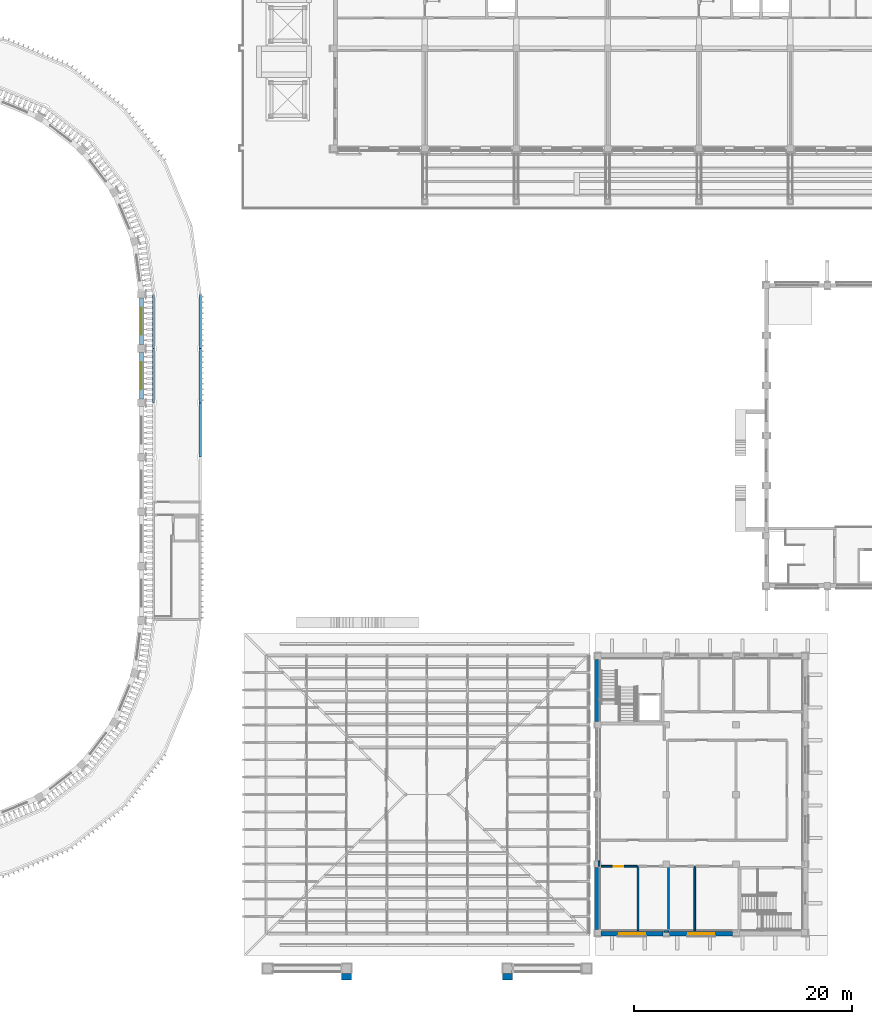
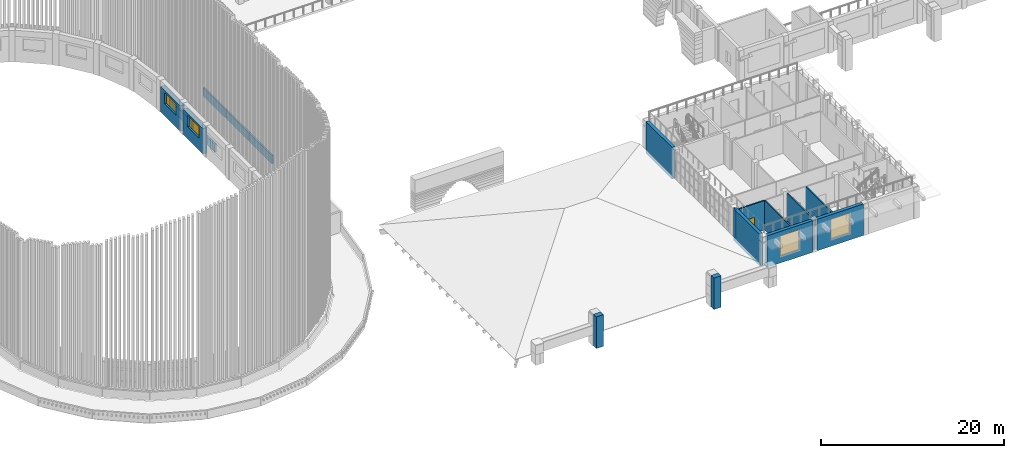
# One storey, part 23 of 68: 19 walls, 4 windows, 1 door, 5 openings.
"""IFC4 building model written with IfcOpenShell, lengths in metres."""

from ifc_helpers import new_model, si_unit, direction, frame, frame_2d, origin, place, context, subcontext, project, spatial, rectangle, extrude, material, layer, layer_set, type_object, element, fill, save


model = new_model("IFC4")

# Units and contexts
model_context = context("Model", 3, precision=1e-05, world=origin(), true_north=direction((0.0, 1.0)))
body_context = subcontext(model_context, "Body", "Model", "MODEL_VIEW")
ifc_project = project(units=[si_unit("LENGTHUNIT", "METRE"), si_unit("AREAUNIT", "SQUARE_METRE"), si_unit("VOLUMEUNIT", "CUBIC_METRE"), si_unit("PLANEANGLEUNIT", "RADIAN"), si_unit("MASSUNIT", "GRAM", prefix="KILO")], contexts=[model_context])

# Site, building, storey
site_placement = place(None, origin())
site = spatial("IfcSite", under=ifc_project, at=site_placement, CompositionType="ELEMENT")
building_placement = place(site_placement, origin())
building = spatial("IfcBuilding", under=site, at=building_placement, Name="Wasatch Bagh Community Centre", CompositionType="ELEMENT")
storey_placement = place(building_placement, frame((0.0, 0.0, 8.39990234375)))
storey = spatial("IfcBuildingStorey", under=building, at=storey_placement, Name="L02", CompositionType="ELEMENT", Elevation=8.39990234375)

# Walls
ifc_material_1 = material(Name="Concrete C40", Category="concrete")
ifc_layer_1 = layer(ifc_material_1, 0.60009765625)
ifc_layer_set_1 = layer_set([ifc_layer_1], Name="Concrete C40")
wall_type_1 = type_object("IfcWallType", Name="CL-W4", PredefinedType="STANDARD", material=ifc_layer_set_1)
for number, where, z_axis, x_axis, name in (
    (1, (73.14990234375, 2.25, 0.0), (0.0, 0.0, 1.0), (1.0, 0.0, 0.0), "CL-W4 pier buttress DHP2"),
    (2, (87.949951171875, 2.25, 0.0), (0.0, 0.0, 1.0), (1.0, 0.0, 0.0), "CL-W4 pier buttress DHP3"),
):
    element("IfcWall", number, at=place(storey_placement, frame(where, z_axis=z_axis, x_axis=x_axis)), inside=storey, type_object=wall_type_1, Name=name, PredefinedType="STANDARD", context=body_context, shape_type="SweptSolid", body=[
        extrude(rectangle(XDim=0.900146484375, YDim=0.60009765625, at=frame_2d((0.4501953125, 0.0))), origin(), (0.0, 0.0, 1.0), 4.2001953125),
    ])
ifc_layer_2 = layer(ifc_material_1, 0.199951171875)
ifc_layer_set_2 = layer_set([ifc_layer_2], Name="Concrete C40")
wall_type_2 = type_object("IfcWallType", Name="Drum parapet RC WALL 200", PredefinedType="PARAPET", material=ifc_layer_set_2)
for number, where, z_axis, x_axis, name in (
    (3, (60.14990234375, 50.013916015625, 0.0), (0.0, 0.0, 1.0), (0.0, 1.0, 0.0), "Terrace parapet outer 16"),
    (4, (60.14990234375, 55.013916015625, 0.0), (0.0, 0.0, 1.0), (0.0, 1.0, 0.0), "Terrace parapet outer 17"),
    (5, (60.14990234375, 60.013916015625, 0.0), (0.0, 0.0, 1.0), (0.0, 1.0, 0.0), "Terrace parapet outer 18"),
    (6, (55.85009765625, 55.013916015625, 0.0), (0.0, 0.0, 1.0), (0.0, 1.0, 0.0), "Terrace parapet inner 17"),
    (7, (55.85009765625, 60.013916015625, 0.0), (0.0, 0.0, 1.0), (0.0, 1.0, 0.0), "Terrace parapet inner 18"),
):
    element("IfcWall", number, at=place(storey_placement, frame(where, z_axis=z_axis, x_axis=x_axis)), inside=storey, type_object=wall_type_2, Name=name, PredefinedType="PARAPET", context=body_context, shape_type="SweptSolid", body=[
        extrude(rectangle(XDim=4.97216796875, YDim=0.199951171875, at=frame_2d((2.486083984375, 0.0))), origin(), (0.0, 0.0, 1.0), 1.10009765625),
    ])

# Wall, opening, window
ifc_layer_3 = layer(ifc_material_1, 0.39990234375)
ifc_layer_set_3 = layer_set([ifc_layer_3], Name="Concrete C40")
wall_type_3 = type_object("IfcWallType", Name="KW RC WALL 400 solidwall", PredefinedType="SOLIDWALL", material=ifc_layer_set_3)
wall_1_placement = place(storey_placement, frame((97.0, 6.199951171875, 0.0), z_axis=(0.0, 0.0, 1.0), x_axis=(1.0, 0.0, 0.0)))
wall_1 = element("IfcWall", 8, at=wall_1_placement, inside=storey, type_object=wall_type_3, Name="KW.wall.L02.01", PredefinedType="SOLIDWALL", context=body_context, shape_type="SweptSolid", body=[
    extrude(rectangle(XDim=5.699951171875, YDim=0.39990234375, at=frame_2d((2.85009765625, 0.0))), origin(), (0.0, 0.0, 1.0), 4.2001953125),
])
opening_1_placement = place(wall_1_placement, frame((1.64990234375, 0.0, 0.89990234375)))
opening_1 = element("IfcOpeningElement", 9, at=opening_1_placement, cuts=wall_1, Name="Opening 2K-W02", PredefinedType="OPENING", context=body_context, shape_type="SweptSolid", body=[
    extrude(rectangle(XDim=2.39990234375, YDim=2.699951171875, at=frame_2d((1.199951171875, 1.35009765625))), frame((0.0, 0.2099609375, 0.0), z_axis=(0.0, -1.0, 0.0), x_axis=(1.0, 0.0, 0.0)), (0.0, 0.0, 1.0), 0.419921875),
])
ifc_material_2 = material(Name="Aluminium frame with double glazing", Category="aluminium")
window_type_1 = type_object("IfcWindowType", Name="KW window 2400x2700", PartitioningType="SINGLE_PANEL", PredefinedType="WINDOW", material=ifc_material_2)
window_1_placement = place(opening_1_placement, origin())
window_1 = element("IfcWindow", 10, at=window_1_placement, inside=storey, type_object=window_type_1, Name="KW.window.L02.2K-W02", OverallHeight=2.699951171875, OverallWidth=2.39990234375, PartitioningType="SINGLE_PANEL", PredefinedType="WINDOW", context=body_context, shape_type="SweptSolid", body=[
    extrude(rectangle(XDim=2.39990234375, YDim=2.699951171875, at=frame_2d((1.199951171875, 1.35009765625))), frame((0.0, 0.030029296875, 0.0), z_axis=(0.0, -1.0, 0.0), x_axis=(1.0, 0.0, 0.0)), (0.0, 0.0, 1.0), 0.06005859375),
])
fill(opening_1, window_1)

wall_2_placement = place(storey_placement, frame((103.300048828125, 6.199951171875, 0.0), z_axis=(0.0, 0.0, 1.0), x_axis=(1.0, 0.0, 0.0)))
wall_2 = element("IfcWall", 11, at=wall_2_placement, inside=storey, type_object=wall_type_3, Name="KW.wall.L02.02", PredefinedType="SOLIDWALL", context=body_context, shape_type="SweptSolid", body=[
    extrude(rectangle(XDim=5.800048828125, YDim=0.39990234375, at=frame_2d((2.89990234375, 0.0))), origin(), (0.0, 0.0, 1.0), 4.2001953125),
])
opening_2_placement = place(wall_2_placement, frame((1.699951171875, 0.0, 0.89990234375)))
opening_2 = element("IfcOpeningElement", 12, at=opening_2_placement, cuts=wall_2, Name="Opening 2K-W03", PredefinedType="OPENING", context=body_context, shape_type="SweptSolid", body=[
    extrude(rectangle(XDim=2.39990234375, YDim=2.699951171875, at=frame_2d((1.199951171875, 1.35009765625))), frame((0.0, 0.2099609375, 0.0), z_axis=(0.0, -1.0, 0.0), x_axis=(1.0, 0.0, 0.0)), (0.0, 0.0, 1.0), 0.419921875),
])
window_2_placement = place(opening_2_placement, origin())
window_2 = element("IfcWindow", 13, at=window_2_placement, inside=storey, type_object=window_type_1, Name="KW.window.L02.2K-W03", OverallHeight=2.699951171875, OverallWidth=2.39990234375, PartitioningType="SINGLE_PANEL", PredefinedType="WINDOW", context=body_context, shape_type="SweptSolid", body=[
    extrude(rectangle(XDim=2.39990234375, YDim=2.699951171875, at=frame_2d((1.199951171875, 1.35009765625))), frame((0.0, 0.030029296875, 0.0), z_axis=(0.0, -1.0, 0.0), x_axis=(1.0, 0.0, 0.0)), (0.0, 0.0, 1.0), 0.06005859375),
])
fill(opening_2, window_2)

# Walls
for number, where, z_axis, x_axis, name in (
    (14, (96.60009765625, 6.60009765625, 0.0), (0.0, 0.0, 1.0), (0.0, 1.0, 0.0), "KW.wall.L02.07"),
    (15, (96.60009765625, 25.699951171875, 0.0), (0.0, 0.0, 1.0), (0.0, 1.0, 0.0), "KW.wall.L02.10"),
):
    element("IfcWall", number, at=place(storey_placement, frame(where, z_axis=z_axis, x_axis=x_axis)), inside=storey, type_object=wall_type_3, Name=name, PredefinedType="SOLIDWALL", context=body_context, shape_type="SweptSolid", body=[
        extrude(rectangle(XDim=5.699951171875, YDim=0.39990234375, at=frame_2d((2.85009765625, 0.0))), origin(), (0.0, 0.0, 1.0), 4.2001953125),
    ])
ifc_material_3 = material(Name="Hollow block masonry, medium weight (ASTM Grade N)", Category="masonry")
ifc_layer_4 = layer(ifc_material_3, 0.159912109375)
ifc_layer_set_4 = layer_set([ifc_layer_4], Name="Hollow block masonry, medium weight (ASTM Grade N)")
wall_type_4 = type_object("IfcWallType", Name="KW partition 160", PredefinedType="PARTITIONING", material=ifc_layer_set_4)
wall_3_placement = place(storey_placement, frame((96.800048828125, 12.89990234375, 0.0), z_axis=(0.0, 0.0, 1.0), x_axis=(0.0, -1.0, 0.0)))
element("IfcWall", 16, at=wall_3_placement, inside=storey, type_object=wall_type_4, Name="KW.part.L02.001", PredefinedType="PARTITIONING", context=body_context, shape_type="SweptSolid", body=[
    extrude(rectangle(XDim=0.5, YDim=0.159912109375, at=frame_2d((0.25, 0.0))), origin(), (0.0, 0.0, 1.0), 3.900146484375),
])

# Wall, opening, door
wall_4_placement = place(storey_placement, frame((100.320068359375, 12.39990234375, 0.0), z_axis=(0.0, 0.0, 1.0), x_axis=(-1.0, 0.0, 0.0)))
wall_4 = element("IfcWall", 17, at=wall_4_placement, inside=storey, type_object=wall_type_4, Name="KW.part.L02.002", PredefinedType="PARTITIONING", context=body_context, shape_type="SweptSolid", body=[
    extrude(rectangle(XDim=3.440185546875, YDim=0.159912109375, at=frame_2d((1.72021484375, 0.0))), origin(), (0.0, 0.0, 1.0), 3.900146484375),
])
opening_3_placement = place(wall_4_placement, frame((1.27001953125, 0.0, 0.0)))
opening_3 = element("IfcOpeningElement", 18, at=opening_3_placement, cuts=wall_4, Name="Opening 2K-02", PredefinedType="OPENING", context=body_context, shape_type="SweptSolid", body=[
    extrude(rectangle(XDim=0.89990234375, YDim=2.10009765625, at=frame_2d((0.449951171875, 1.050048828125))), frame((0.0, 0.08984375, 0.0), z_axis=(0.0, -1.0, 0.0), x_axis=(1.0, 0.0, 0.0)), (0.0, 0.0, 1.0), 0.179931640625),
])
ifc_material_4 = material(Name="Painted hardwood timber", Category="wood")
door_type = type_object("IfcDoorType", Name="KW door 900x2100 single", OperationType="SINGLE_SWING_LEFT", PredefinedType="DOOR", material=ifc_material_4)
door_placement = place(opening_3_placement, origin())
door = element("IfcDoor", 19, at=door_placement, inside=storey, type_object=door_type, Name="KW.door.L02.2K-02", OperationType="SINGLE_SWING_LEFT", OverallHeight=2.10009765625, OverallWidth=0.89990234375, PredefinedType="DOOR", context=body_context, shape_type="SweptSolid", body=[
    extrude(rectangle(XDim=0.89990234375, YDim=2.10009765625, at=frame_2d((0.449951171875, 1.050048828125))), frame((0.0, 0.02490234375, 0.0), z_axis=(0.0, -1.0, 0.0), x_axis=(1.0, 0.0, 0.0)), (0.0, 0.0, 1.0), 0.050048828125),
])
fill(opening_3, door)

# Walls
wall_5_placement = place(storey_placement, frame((100.39990234375, 6.47998046875, 0.0), z_axis=(0.0, 0.0, 1.0), x_axis=(0.0, 1.0, 0.0)))
element("IfcWall", 20, at=wall_5_placement, inside=storey, type_object=wall_type_4, Name="KW.part.L02.003", PredefinedType="PARTITIONING", context=body_context, shape_type="SweptSolid", body=[
    extrude(rectangle(XDim=5.919921875, YDim=0.159912109375, at=frame_2d((2.9599609375, 0.0))), origin(), (0.0, 0.0, 1.0), 3.900146484375),
])
wall_6_placement = place(storey_placement, frame((102.780029296875, 6.39990234375, 0.0), z_axis=(0.0, 0.0, 1.0), x_axis=(1.0, 0.0, 0.0)))
element("IfcWall", 21, at=wall_6_placement, inside=storey, type_object=wall_type_4, Name="KW.part.L02.004", PredefinedType="PARTITIONING", context=body_context, shape_type="SweptSolid", body=[
    extrude(rectangle(XDim=0.419921875, YDim=0.159912109375, at=frame_2d((0.2099609375, 0.0))), origin(), (0.0, 0.0, 1.0), 3.900146484375),
])
for number, where, z_axis, x_axis, name in (
    (22, (103.199951171875, 6.47998046875, 0.0), (0.0, 0.0, 1.0), (0.0, 1.0, 0.0), "KW.part.L02.009"),
    (23, (105.60009765625, 6.47998046875, 0.0), (0.0, 0.0, 1.0), (0.0, 1.0, 0.0), "KW.part.L02.012"),
):
    element("IfcWall", number, at=place(storey_placement, frame(where, z_axis=z_axis, x_axis=x_axis)), inside=storey, type_object=wall_type_4, Name=name, PredefinedType="PARTITIONING", context=body_context, shape_type="SweptSolid", body=[
        extrude(rectangle(XDim=5.919921875, YDim=0.159912109375, at=frame_2d((2.9599609375, 0.0))), origin(), (0.0, 0.0, 1.0), 3.900146484375),
    ])

# Wall, opening, window
ifc_layer_5 = layer(ifc_material_1, 0.5)
ifc_layer_set_5 = layer_set([ifc_layer_5], Name="Concrete C40")
wall_type_5 = type_object("IfcWallType", Name="MH wall RC WALL 500", PredefinedType="SHEAR", material=ifc_layer_set_5)
wall_7_placement = place(storey_placement, frame((54.75, 55.3505859375, 0.0), z_axis=(0.0, 0.0, 1.0), x_axis=(0.0, 1.0, 0.0)))
wall_7 = element("IfcWall", 24, at=wall_7_placement, inside=storey, type_object=wall_type_5, Name="Capsule wall 17", PredefinedType="SHEAR", context=body_context, shape_type="SweptSolid", body=[
    extrude(rectangle(XDim=4.298828125, YDim=0.5, at=frame_2d((2.1494140625, 0.0))), origin(), (0.0, 0.0, 1.0), 3.400146484375),
])
opening_4_placement = place(wall_7_placement, frame((0.8994140625, 0.0, 1.60009765625)))
opening_4 = element("IfcOpeningElement", 25, at=opening_4_placement, cuts=wall_7, Name="Opening 0M-W17", PredefinedType="OPENING", context=body_context, shape_type="SweptSolid", body=[
    extrude(rectangle(XDim=2.5, YDim=1.5, at=frame_2d((1.25, 0.75))), frame((0.0, 0.260009765625, 0.0), z_axis=(0.0, -1.0, 0.0), x_axis=(1.0, 0.0, 0.0)), (0.0, 0.0, 1.0), 0.52001953125),
])
ifc_material_5 = material(Name="Aluminium frame with low-iron insulated glass", Category="aluminium")
window_type_2 = type_object("IfcWindowType", Name="MH clerestory window W3", PartitioningType="SINGLE_PANEL", PredefinedType="WINDOW", material=ifc_material_5)
window_3_placement = place(opening_4_placement, origin())
window_3 = element("IfcWindow", 26, at=window_3_placement, inside=storey, type_object=window_type_2, Name="Window 0M-W17", OverallHeight=1.5, OverallWidth=2.5, PartitioningType="SINGLE_PANEL", PredefinedType="WINDOW", context=body_context, shape_type="SweptSolid", body=[
    extrude(rectangle(XDim=2.5, YDim=1.5, at=frame_2d((1.25, 0.75))), frame((0.0, 0.030029296875, 0.0), z_axis=(0.0, -1.0, 0.0), x_axis=(1.0, 0.0, 0.0)), (0.0, 0.0, 1.0), 0.06005859375),
])
fill(opening_4, window_3)

wall_8_placement = place(storey_placement, frame((54.75, 60.3505859375, 0.0), z_axis=(0.0, 0.0, 1.0), x_axis=(0.0, 1.0, 0.0)))
wall_8 = element("IfcWall", 27, at=wall_8_placement, inside=storey, type_object=wall_type_5, Name="Capsule wall 18", PredefinedType="SHEAR", context=body_context, shape_type="SweptSolid", body=[
    extrude(rectangle(XDim=4.298828125, YDim=0.5, at=frame_2d((2.1494140625, 0.0))), origin(), (0.0, 0.0, 1.0), 3.400146484375),
])
opening_5_placement = place(wall_8_placement, frame((0.8994140625, 0.0, 1.60009765625)))
opening_5 = element("IfcOpeningElement", 28, at=opening_5_placement, cuts=wall_8, Name="Opening 0M-W18", PredefinedType="OPENING", context=body_context, shape_type="SweptSolid", body=[
    extrude(rectangle(XDim=2.5, YDim=1.5, at=frame_2d((1.25, 0.75))), frame((0.0, 0.260009765625, 0.0), z_axis=(0.0, -1.0, 0.0), x_axis=(1.0, 0.0, 0.0)), (0.0, 0.0, 1.0), 0.52001953125),
])
window_4_placement = place(opening_5_placement, origin())
window_4 = element("IfcWindow", 29, at=window_4_placement, inside=storey, type_object=window_type_2, Name="Window 0M-W18", OverallHeight=1.5, OverallWidth=2.5, PartitioningType="SINGLE_PANEL", PredefinedType="WINDOW", context=body_context, shape_type="SweptSolid", body=[
    extrude(rectangle(XDim=2.5, YDim=1.5, at=frame_2d((1.25, 0.75))), frame((0.0, 0.030029296875, 0.0), z_axis=(0.0, -1.0, 0.0), x_axis=(1.0, 0.0, 0.0)), (0.0, 0.0, 1.0), 0.06005859375),
])
fill(opening_5, window_4)

save(model, "model.ifc")
